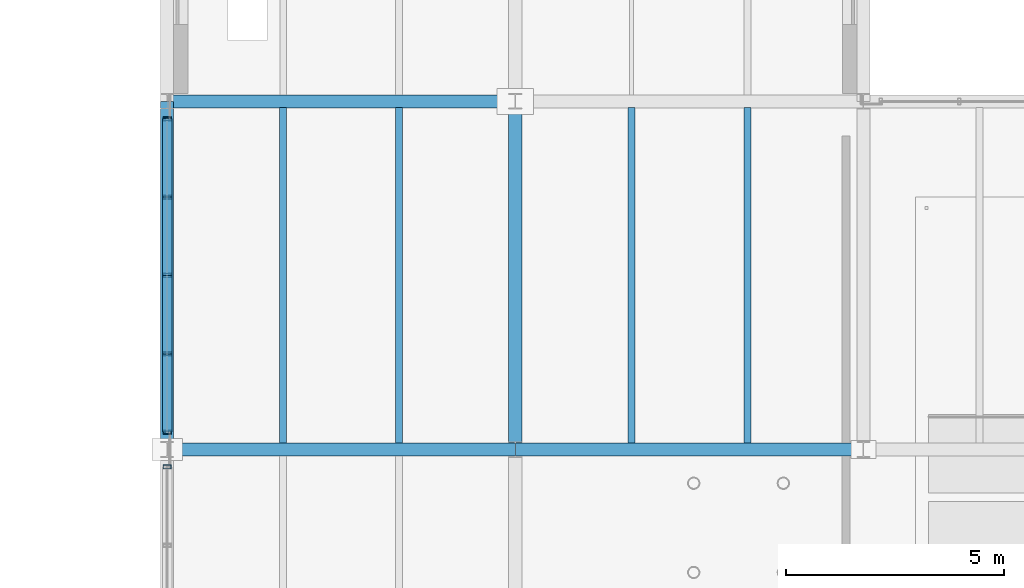
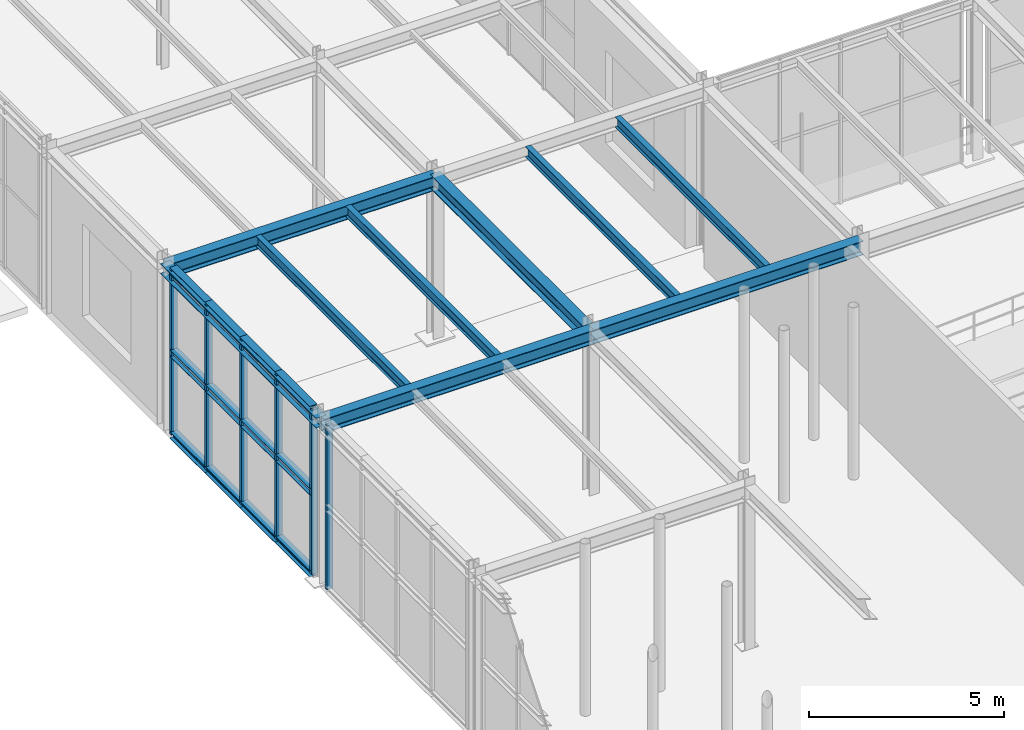
# One storey, part 31 of 129: 18 members, 9 beams, 2 elements without a shape of their own.
"""IFC4 building model written with IfcOpenShell, lengths in metres."""

from ifc_helpers import new_model, si_unit, direction, frame, origin, origin_2d, place, context, subcontext, project, spatial, hollow_rectangle, i_section, extrude, material, material_profile, profile_set, type_object, element, aggregate, save


model = new_model("IFC4")

# Units and contexts
model_context = context("Model", 3, precision=1e-05, world=origin(), true_north=direction((0.0, 1.0)))
body_context = subcontext(model_context, "Body", "Model", "MODEL_VIEW")
ifc_project = project(units=[si_unit("LENGTHUNIT", "METRE"), si_unit("AREAUNIT", "SQUARE_METRE"), si_unit("VOLUMEUNIT", "CUBIC_METRE"), si_unit("PLANEANGLEUNIT", "RADIAN"), si_unit("MASSUNIT", "GRAM", prefix="KILO")], contexts=[model_context])

# Site, building, storey
site_placement = place(None, origin())
site = spatial("IfcSite", under=ifc_project, at=site_placement, CompositionType="ELEMENT")
building_placement = place(site_placement, origin())
building = spatial("IfcBuilding", under=site, at=building_placement, Name="Sundkrona Museum", CompositionType="ELEMENT")
storey_placement = place(building_placement, origin())
storey = spatial("IfcBuildingStorey", under=building, at=storey_placement, Name="L00", CompositionType="ELEMENT", Elevation=0.0)

# Beams
ifc_material_1 = material(Name="Steel S355J2", Category="steel")
ifc_material_profile_1 = material_profile(ifc_material_1, i_section(OverallWidth=0.300048828125, OverallDepth=0.43994140625, WebThickness=0.011474609375, FlangeThickness=0.02099609375, FilletRadius=0.027099609375, at=origin_2d()), Name="HEA 450")
ifc_profile_set_1 = profile_set([ifc_material_profile_1], Name="Steel S355J2")
beam_type_1 = type_object("IfcBeamType", Name="B-HEA450", PredefinedType="BEAM", material=ifc_profile_set_1)
for number, where, z_axis, x_axis, name in (
    (1, (80.0, 32.0, 4.919921875), (1.0, 0.0, 0.0), (0.0, 1.0, 0.0), "L00 Girder X-0457"),
    (2, (88.0, 32.0, 4.919921875), (1.0, 0.0, 0.0), (0.0, 1.0, 0.0), "L00 Girder X-0458"),
    (3, (80.0, 40.0, 4.919921875), (1.0, 0.0, 0.0), (0.0, 1.0, 0.0), "L00 Girder X-0470"),
    (4, (88.0, 32.0, 4.919921875), (0.0, 1.0, 0.0), (-1.0, 0.0, 0.0), "L00 Girder Y-0690"),
):
    element("IfcBeam", number, at=place(storey_placement, frame(where, z_axis=z_axis, x_axis=x_axis)), inside=storey, type_object=beam_type_1, Name=name, PredefinedType="BEAM", context=body_context, shape_type="SweptSolid", body=[
        extrude(i_section(OverallWidth=0.300048828125, OverallDepth=0.43994140625, WebThickness=0.011474609375, FlangeThickness=0.02099609375, FilletRadius=0.027099609375, at=origin_2d()), origin(), (0.0, 0.0, 1.0), 8.0),
    ])
ifc_material_profile_2 = material_profile(ifc_material_1, i_section(OverallWidth=0.159912109375, OverallDepth=0.330078125, WebThickness=0.007568359375, FlangeThickness=0.011474609375, FilletRadius=0.01806640625, at=origin_2d()), Name="IPE 330")
ifc_profile_set_2 = profile_set([ifc_material_profile_2], Name="Steel S355J2")
beam_type_2 = type_object("IfcBeamType", Name="J-IPE330", PredefinedType="JOIST", material=ifc_profile_set_2)
for number, where, z_axis, x_axis, name in (
    (5, (82.666748046875, 32.14404296875, 4.97509765625), (0.0, 1.0, 0.0), (-1.0, 0.0, 0.0), "L00 Composite Joist 0393"),
    (6, (85.333251953125, 32.14404296875, 4.97509765625), (0.0, 1.0, 0.0), (-1.0, 0.0, 0.0), "L00 Composite Joist 0394"),
    (7, (90.666748046875, 32.14404296875, 4.97509765625), (0.0, 1.0, 0.0), (-1.0, 0.0, 0.0), "L00 Composite Joist 0413"),
    (8, (93.333251953125, 32.14404296875, 4.97509765625), (0.0, 1.0, 0.0), (-1.0, 0.0, 0.0), "L00 Composite Joist 0414"),
):
    element("IfcBeam", number, at=place(storey_placement, frame(where, z_axis=z_axis, x_axis=x_axis)), inside=storey, type_object=beam_type_2, Name=name, PredefinedType="JOIST", context=body_context, shape_type="SweptSolid", body=[
        extrude(i_section(OverallWidth=0.159912109375, OverallDepth=0.330078125, WebThickness=0.007568359375, FlangeThickness=0.011474609375, FilletRadius=0.01806640625, at=origin_2d()), origin(), (0.0, 0.0, 1.0), 7.7119140625),
    ])

# Curtain wall, member
ifc_material_2 = material(Name="Unitised Aluminium-Steel and Ceramic-Clad Curtain Walling", Category="steel")
curtain_wall_type = type_object("IfcCurtainWallType", Name="CW-AT-72x50", PredefinedType="NOTDEFINED", material=ifc_material_2)
curtain_wall_1_placement = place(storey_placement, origin())
curtain_wall_1 = element("IfcCurtainWall", 9, at=curtain_wall_1_placement, inside=storey, type_object=curtain_wall_type, Name="L00 Curtain Wall CW-L00-023", PredefinedType="NOTDEFINED")
ifc_material_3 = material(Name="Aluminium EN AW-6060 T66", Category="aluminium")
ifc_material_profile_3 = material_profile(ifc_material_3, hollow_rectangle(XDim=0.090087890625, YDim=0.179931640625, WallThickness=0.00634765625, at=origin_2d()), Name="RHS 180x90x6.3")
ifc_profile_set_3 = profile_set([ifc_material_profile_3], Name="Aluminium EN AW-6060 T66")
member_type_1 = type_object("IfcMemberType", Name="ML-180", PredefinedType="MULLION", material=ifc_profile_set_3)
member_1_placement = place(storey_placement, frame((80.0, 31.60009765625, -0.00390625), z_axis=(0.0, 0.0, 1.0), x_axis=(0.0, 1.0, 0.0)))
member_1 = element("IfcMember", 10, at=member_1_placement, type_object=member_type_1, Name="CW-L00-023 Mullion 05", PredefinedType="MULLION", context=body_context, shape_type="SweptSolid", body=[
    extrude(hollow_rectangle(XDim=0.090087890625, YDim=0.179931640625, WallThickness=0.00634765625, at=origin_2d()), origin(), (0.0, 0.0, 1.0), 5.14794921875),
])
aggregate(curtain_wall_1, [member_1])

# Curtain wall, members
curtain_wall_2_placement = place(storey_placement, origin())
curtain_wall_2 = element("IfcCurtainWall", 11, at=curtain_wall_2_placement, inside=storey, type_object=curtain_wall_type, Name="L00 Curtain Wall CW-L00-024", PredefinedType="NOTDEFINED")
member_2_placement = place(storey_placement, frame((80.0, 32.39990234375, -0.00390625), z_axis=(0.0, 0.0, 1.0), x_axis=(0.0, 1.0, 0.0)))
member_2 = element("IfcMember", 12, at=member_2_placement, type_object=member_type_1, Name="CW-L00-024 Mullion 01", PredefinedType="MULLION", context=body_context, shape_type="SweptSolid", body=[
    extrude(hollow_rectangle(XDim=0.090087890625, YDim=0.179931640625, WallThickness=0.00634765625, at=origin_2d()), origin(), (0.0, 0.0, 1.0), 5.14794921875),
])
member_3_placement = place(storey_placement, frame((80.0, 34.199951171875, -0.00390625), z_axis=(0.0, 0.0, 1.0), x_axis=(0.0, 1.0, 0.0)))
member_3 = element("IfcMember", 13, at=member_3_placement, type_object=member_type_1, Name="CW-L00-024 Mullion 02", PredefinedType="MULLION", context=body_context, shape_type="SweptSolid", body=[
    extrude(hollow_rectangle(XDim=0.090087890625, YDim=0.179931640625, WallThickness=0.00634765625, at=origin_2d()), origin(), (0.0, 0.0, 1.0), 5.14794921875),
])
member_4_placement = place(storey_placement, frame((80.0, 36.0, -0.00390625), z_axis=(0.0, 0.0, 1.0), x_axis=(0.0, 1.0, 0.0)))
member_4 = element("IfcMember", 14, at=member_4_placement, type_object=member_type_1, Name="CW-L00-024 Mullion 03", PredefinedType="MULLION", context=body_context, shape_type="SweptSolid", body=[
    extrude(hollow_rectangle(XDim=0.090087890625, YDim=0.179931640625, WallThickness=0.00634765625, at=origin_2d()), origin(), (0.0, 0.0, 1.0), 5.14794921875),
])
member_5_placement = place(storey_placement, frame((80.0, 37.800048828125, -0.00390625), z_axis=(0.0, 0.0, 1.0), x_axis=(0.0, 1.0, 0.0)))
member_5 = element("IfcMember", 15, at=member_5_placement, type_object=member_type_1, Name="CW-L00-024 Mullion 04", PredefinedType="MULLION", context=body_context, shape_type="SweptSolid", body=[
    extrude(hollow_rectangle(XDim=0.090087890625, YDim=0.179931640625, WallThickness=0.00634765625, at=origin_2d()), origin(), (0.0, 0.0, 1.0), 5.14794921875),
])
member_6_placement = place(storey_placement, frame((80.0, 39.60009765625, -0.00390625), z_axis=(0.0, 0.0, 1.0), x_axis=(0.0, 1.0, 0.0)))
member_6 = element("IfcMember", 16, at=member_6_placement, type_object=member_type_1, Name="CW-L00-024 Mullion 05", PredefinedType="MULLION", context=body_context, shape_type="SweptSolid", body=[
    extrude(hollow_rectangle(XDim=0.090087890625, YDim=0.179931640625, WallThickness=0.00634765625, at=origin_2d()), origin(), (0.0, 0.0, 1.0), 5.14794921875),
])

# Beam
ifc_material_profile_4 = material_profile(ifc_material_1, i_section(OverallWidth=0.300048828125, OverallDepth=0.320068359375, WebThickness=0.011474609375, FlangeThickness=0.0205078125, FilletRadius=0.027099609375, at=origin_2d()), Name="HEB 320")
ifc_profile_set_4 = profile_set([ifc_material_profile_4], Name="Steel S355J2")
beam_type_3 = type_object("IfcBeamType", Name="SP-HEB320", PredefinedType="SPANDREL", material=ifc_profile_set_4)
beam_placement = place(storey_placement, frame((80.0, 32.0, 4.97998046875), z_axis=(0.0, 1.0, 0.0), x_axis=(-1.0, 0.0, 0.0)))
element("IfcBeam", 17, at=beam_placement, inside=storey, type_object=beam_type_3, Name="L00 Girder Y-0675", PredefinedType="SPANDREL", context=body_context, shape_type="SweptSolid", body=[
    extrude(i_section(OverallWidth=0.300048828125, OverallDepth=0.320068359375, WebThickness=0.011474609375, FlangeThickness=0.0205078125, FilletRadius=0.027099609375, at=origin_2d()), origin(), (0.0, 0.0, 1.0), 8.0),
])

# Member
ifc_material_profile_5 = material_profile(ifc_material_1, i_section(OverallWidth=0.219970703125, OverallDepth=0.219970703125, WebThickness=0.009521484375, FlangeThickness=0.01611328125, FilletRadius=0.01806640625, at=origin_2d()), Name="HEB 220")
ifc_profile_set_5 = profile_set([ifc_material_profile_5], Name="Steel S355J2")
member_type_2 = type_object("IfcMemberType", Name="TR-HEB220", PredefinedType="USERDEFINED", material=ifc_profile_set_5)
member_7_placement = place(storey_placement, frame((80.0, 32.39990234375, -0.00390625), z_axis=(0.0, 1.0, 0.0), x_axis=(-1.0, 0.0, 0.0)))
member_7 = element("IfcMember", 18, at=member_7_placement, type_object=member_type_2, Name="CW-L00-024 Transom 01", ObjectType="TRANSOM", PredefinedType="USERDEFINED", context=body_context, shape_type="SweptSolid", body=[
    extrude(i_section(OverallWidth=0.219970703125, OverallDepth=0.219970703125, WebThickness=0.009521484375, FlangeThickness=0.01611328125, FilletRadius=0.01806640625, at=origin_2d()), origin(), (0.0, 0.0, 1.0), 1.800048828125),
])

member_8_placement = place(storey_placement, frame((80.0, 32.39990234375, 2.570068359375), z_axis=(0.0, 1.0, 0.0), x_axis=(-1.0, 0.0, 0.0)))
member_8 = element("IfcMember", 19, at=member_8_placement, type_object=member_type_2, Name="CW-L00-024 Transom 02", ObjectType="TRANSOM", PredefinedType="USERDEFINED", context=body_context, shape_type="SweptSolid", body=[
    extrude(i_section(OverallWidth=0.219970703125, OverallDepth=0.219970703125, WebThickness=0.009521484375, FlangeThickness=0.01611328125, FilletRadius=0.01806640625, at=origin_2d()), origin(), (0.0, 0.0, 1.0), 1.800048828125),
])

member_9_placement = place(storey_placement, frame((80.0, 32.39990234375, 5.14404296875), z_axis=(0.0, 1.0, 0.0), x_axis=(-1.0, 0.0, 0.0)))
member_9 = element("IfcMember", 20, at=member_9_placement, type_object=member_type_2, Name="CW-L00-024 Transom 03", ObjectType="TRANSOM", PredefinedType="USERDEFINED", context=body_context, shape_type="SweptSolid", body=[
    extrude(i_section(OverallWidth=0.219970703125, OverallDepth=0.219970703125, WebThickness=0.009521484375, FlangeThickness=0.01611328125, FilletRadius=0.01806640625, at=origin_2d()), origin(), (0.0, 0.0, 1.0), 1.800048828125),
])

member_10_placement = place(storey_placement, frame((80.0, 34.199951171875, -0.00390625), z_axis=(0.0, 1.0, 0.0), x_axis=(-1.0, 0.0, 0.0)))
member_10 = element("IfcMember", 21, at=member_10_placement, type_object=member_type_2, Name="CW-L00-024 Transom 04", ObjectType="TRANSOM", PredefinedType="USERDEFINED", context=body_context, shape_type="SweptSolid", body=[
    extrude(i_section(OverallWidth=0.219970703125, OverallDepth=0.219970703125, WebThickness=0.009521484375, FlangeThickness=0.01611328125, FilletRadius=0.01806640625, at=origin_2d()), origin(), (0.0, 0.0, 1.0), 1.800048828125),
])

member_11_placement = place(storey_placement, frame((80.0, 34.199951171875, 2.570068359375), z_axis=(0.0, 1.0, 0.0), x_axis=(-1.0, 0.0, 0.0)))
member_11 = element("IfcMember", 22, at=member_11_placement, type_object=member_type_2, Name="CW-L00-024 Transom 05", ObjectType="TRANSOM", PredefinedType="USERDEFINED", context=body_context, shape_type="SweptSolid", body=[
    extrude(i_section(OverallWidth=0.219970703125, OverallDepth=0.219970703125, WebThickness=0.009521484375, FlangeThickness=0.01611328125, FilletRadius=0.01806640625, at=origin_2d()), origin(), (0.0, 0.0, 1.0), 1.800048828125),
])

member_12_placement = place(storey_placement, frame((80.0, 34.199951171875, 5.14404296875), z_axis=(0.0, 1.0, 0.0), x_axis=(-1.0, 0.0, 0.0)))
member_12 = element("IfcMember", 23, at=member_12_placement, type_object=member_type_2, Name="CW-L00-024 Transom 06", ObjectType="TRANSOM", PredefinedType="USERDEFINED", context=body_context, shape_type="SweptSolid", body=[
    extrude(i_section(OverallWidth=0.219970703125, OverallDepth=0.219970703125, WebThickness=0.009521484375, FlangeThickness=0.01611328125, FilletRadius=0.01806640625, at=origin_2d()), origin(), (0.0, 0.0, 1.0), 1.800048828125),
])

member_13_placement = place(storey_placement, frame((80.0, 36.0, -0.00390625), z_axis=(0.0, 1.0, 0.0), x_axis=(-1.0, 0.0, 0.0)))
member_13 = element("IfcMember", 24, at=member_13_placement, type_object=member_type_2, Name="CW-L00-024 Transom 07", ObjectType="TRANSOM", PredefinedType="USERDEFINED", context=body_context, shape_type="SweptSolid", body=[
    extrude(i_section(OverallWidth=0.219970703125, OverallDepth=0.219970703125, WebThickness=0.009521484375, FlangeThickness=0.01611328125, FilletRadius=0.01806640625, at=origin_2d()), origin(), (0.0, 0.0, 1.0), 1.800048828125),
])

member_14_placement = place(storey_placement, frame((80.0, 36.0, 2.570068359375), z_axis=(0.0, 1.0, 0.0), x_axis=(-1.0, 0.0, 0.0)))
member_14 = element("IfcMember", 25, at=member_14_placement, type_object=member_type_2, Name="CW-L00-024 Transom 08", ObjectType="TRANSOM", PredefinedType="USERDEFINED", context=body_context, shape_type="SweptSolid", body=[
    extrude(i_section(OverallWidth=0.219970703125, OverallDepth=0.219970703125, WebThickness=0.009521484375, FlangeThickness=0.01611328125, FilletRadius=0.01806640625, at=origin_2d()), origin(), (0.0, 0.0, 1.0), 1.800048828125),
])

member_15_placement = place(storey_placement, frame((80.0, 36.0, 5.14404296875), z_axis=(0.0, 1.0, 0.0), x_axis=(-1.0, 0.0, 0.0)))
member_15 = element("IfcMember", 26, at=member_15_placement, type_object=member_type_2, Name="CW-L00-024 Transom 09", ObjectType="TRANSOM", PredefinedType="USERDEFINED", context=body_context, shape_type="SweptSolid", body=[
    extrude(i_section(OverallWidth=0.219970703125, OverallDepth=0.219970703125, WebThickness=0.009521484375, FlangeThickness=0.01611328125, FilletRadius=0.01806640625, at=origin_2d()), origin(), (0.0, 0.0, 1.0), 1.800048828125),
])

member_16_placement = place(storey_placement, frame((80.0, 37.800048828125, -0.00390625), z_axis=(0.0, 1.0, 0.0), x_axis=(-1.0, 0.0, 0.0)))
member_16 = element("IfcMember", 27, at=member_16_placement, type_object=member_type_2, Name="CW-L00-024 Transom 10", ObjectType="TRANSOM", PredefinedType="USERDEFINED", context=body_context, shape_type="SweptSolid", body=[
    extrude(i_section(OverallWidth=0.219970703125, OverallDepth=0.219970703125, WebThickness=0.009521484375, FlangeThickness=0.01611328125, FilletRadius=0.01806640625, at=origin_2d()), origin(), (0.0, 0.0, 1.0), 1.800048828125),
])

member_17_placement = place(storey_placement, frame((80.0, 37.800048828125, 2.570068359375), z_axis=(0.0, 1.0, 0.0), x_axis=(-1.0, 0.0, 0.0)))
member_17 = element("IfcMember", 28, at=member_17_placement, type_object=member_type_2, Name="CW-L00-024 Transom 11", ObjectType="TRANSOM", PredefinedType="USERDEFINED", context=body_context, shape_type="SweptSolid", body=[
    extrude(i_section(OverallWidth=0.219970703125, OverallDepth=0.219970703125, WebThickness=0.009521484375, FlangeThickness=0.01611328125, FilletRadius=0.01806640625, at=origin_2d()), origin(), (0.0, 0.0, 1.0), 1.800048828125),
])

member_18_placement = place(storey_placement, frame((80.0, 37.800048828125, 5.14404296875), z_axis=(0.0, 1.0, 0.0), x_axis=(-1.0, 0.0, 0.0)))
member_18 = element("IfcMember", 29, at=member_18_placement, type_object=member_type_2, Name="CW-L00-024 Transom 12", ObjectType="TRANSOM", PredefinedType="USERDEFINED", context=body_context, shape_type="SweptSolid", body=[
    extrude(i_section(OverallWidth=0.219970703125, OverallDepth=0.219970703125, WebThickness=0.009521484375, FlangeThickness=0.01611328125, FilletRadius=0.01806640625, at=origin_2d()), origin(), (0.0, 0.0, 1.0), 1.800048828125),
])

aggregate(curtain_wall_2, [member_2, member_3, member_4, member_5, member_6, member_7, member_8, member_9, member_10, member_11, member_12, member_13, member_14, member_15, member_16, member_17, member_18])

save(model, "model.ifc")
